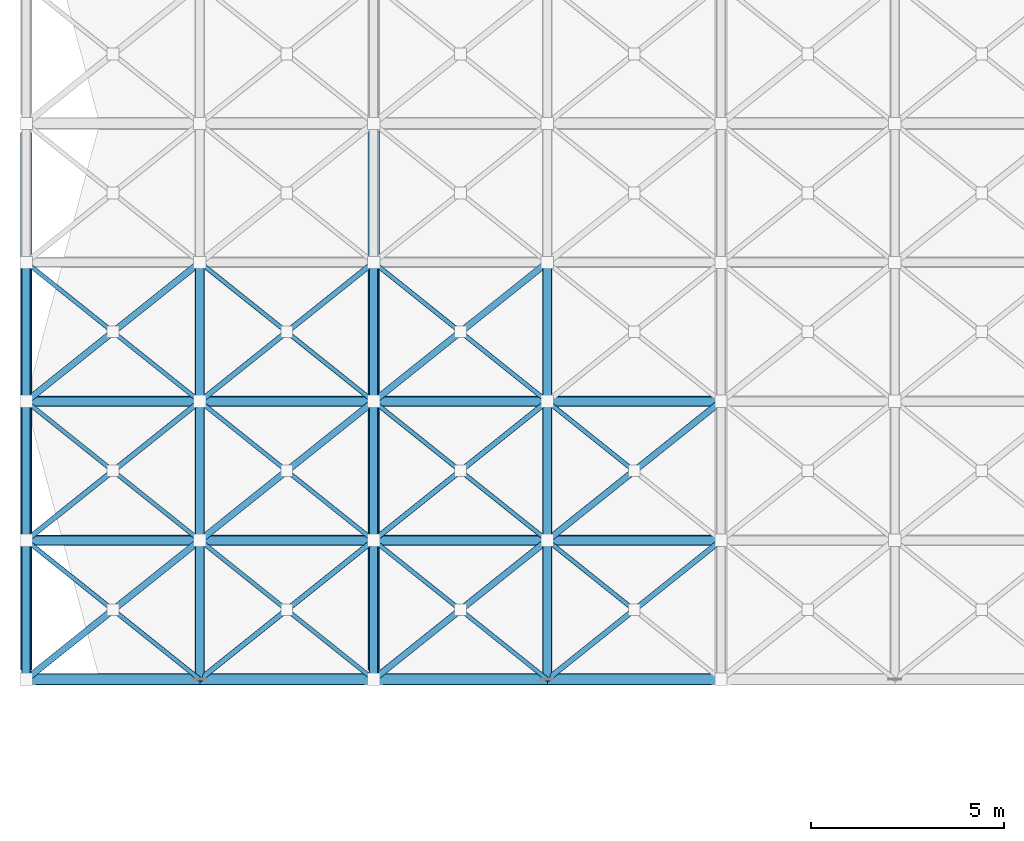
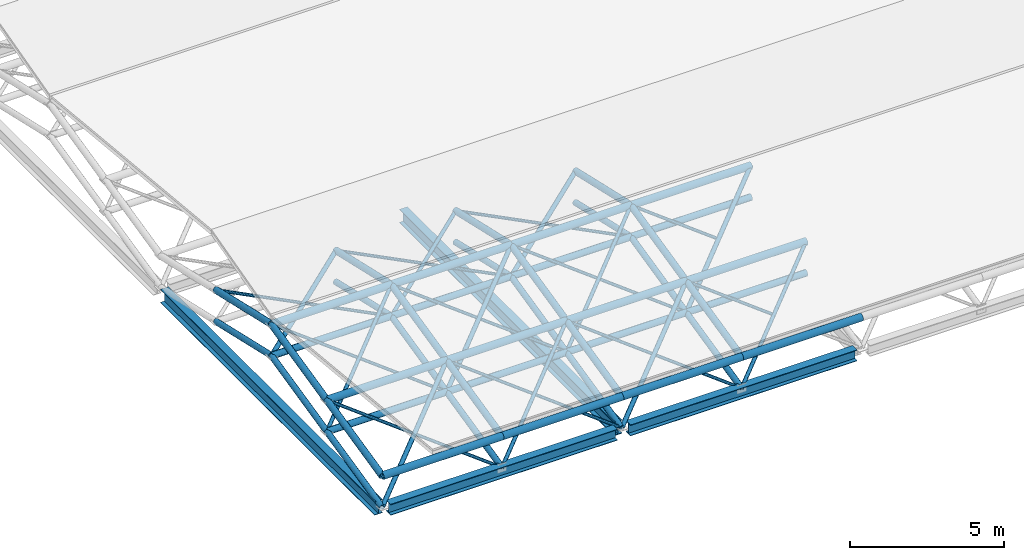
# One storey, part 10 of 110: 75 members, 4 beams.
"""IFC4 building model written with IfcOpenShell, lengths in metres."""

from ifc_helpers import new_model, si_unit, direction, frame, origin, origin_2d, place, context, subcontext, project, spatial, hollow_circle, i_section, extrude, material, material_profile, profile_set, type_object, element, save


model = new_model("IFC4")

# Units and contexts
model_context = context("Model", 3, precision=1e-05, world=origin(), true_north=direction((0.0, 1.0)))
body_context = subcontext(model_context, "Body", "Model", "MODEL_VIEW")
ifc_project = project(units=[si_unit("LENGTHUNIT", "METRE"), si_unit("AREAUNIT", "SQUARE_METRE"), si_unit("VOLUMEUNIT", "CUBIC_METRE"), si_unit("PLANEANGLEUNIT", "RADIAN"), si_unit("MASSUNIT", "GRAM", prefix="KILO")], contexts=[model_context])

# Site, building, storey
site_placement = place(None, origin())
site = spatial("IfcSite", under=ifc_project, at=site_placement, CompositionType="ELEMENT")
building_placement = place(site_placement, origin())
building = spatial("IfcBuilding", under=site, at=building_placement, Name="Tamarisk Ironworks Central Station", CompositionType="ELEMENT")
storey_placement = place(building_placement, frame((0.0, 0.0, 17.39990234375)))
storey = spatial("IfcBuildingStorey", under=building, at=storey_placement, Name="L03", CompositionType="ELEMENT", Elevation=17.39990234375)

# Beams
ifc_material_1 = material(Name="Structural steel S355J2", Category="steel")
ifc_material_profile_1 = material_profile(ifc_material_1, i_section(OverallWidth=0.300048828125, OverallDepth=0.5400390625, WebThickness=0.012451171875, FlangeThickness=0.02392578125, at=origin_2d()), Name="HEA 550")
ifc_profile_set_1 = profile_set([ifc_material_profile_1], Name="Structural steel S355J2")
beam_type_1 = type_object("IfcBeamType", Name="BM-G04", PredefinedType="BEAM", material=ifc_profile_set_1)
beam_1_placement = place(storey_placement, frame((0.0, 21.837890625, -1.869873046875), z_axis=(0.0, 1.0, 0.0), x_axis=(-1.0, 0.0, 0.0)))
element("IfcBeam", 1, at=beam_1_placement, inside=storey, type_object=beam_type_1, Name="L03 primary girder Y-0582", PredefinedType="BEAM", context=body_context, shape_type="SweptSolid", body=[
    extrude(i_section(OverallWidth=0.300048828125, OverallDepth=0.5400390625, WebThickness=0.012451171875, FlangeThickness=0.02392578125, at=origin_2d()), origin(), (0.0, 0.0, 1.0), 13.924072265625),
])
beam_2_placement = place(storey_placement, frame((9.0, 21.842041015625, -1.869873046875), z_axis=(0.0, 1.0, 0.0), x_axis=(-1.0, 0.0, 0.0)))
element("IfcBeam", 2, at=beam_2_placement, inside=storey, type_object=beam_type_1, Name="L03 primary girder Y-0586", PredefinedType="BEAM", context=body_context, shape_type="SweptSolid", body=[
    extrude(i_section(OverallWidth=0.300048828125, OverallDepth=0.5400390625, WebThickness=0.012451171875, FlangeThickness=0.02392578125, at=origin_2d()), origin(), (0.0, 0.0, 1.0), 13.966796875),
])
ifc_material_profile_2 = material_profile(ifc_material_1, i_section(OverallWidth=0.300048828125, OverallDepth=0.43994140625, WebThickness=0.011474609375, FlangeThickness=0.02099609375, at=origin_2d()), Name="HEA 450")
ifc_profile_set_2 = profile_set([ifc_material_profile_2], Name="Structural steel S355J2")
beam_type_2 = type_object("IfcBeamType", Name="BM-G06", PredefinedType="BEAM", material=ifc_profile_set_2)
beam_3_placement = place(storey_placement, frame((0.238037109375, 21.60009765625, -1.81982421875), z_axis=(1.0, 0.0, 0.0), x_axis=(0.0, 1.0, 0.0)))
element("IfcBeam", 3, at=beam_3_placement, inside=storey, type_object=beam_type_2, Name="L03 primary girder X-0540", PredefinedType="BEAM", context=body_context, shape_type="SweptSolid", body=[
    extrude(i_section(OverallWidth=0.300048828125, OverallDepth=0.43994140625, WebThickness=0.011474609375, FlangeThickness=0.02099609375, at=origin_2d()), origin(), (0.0, 0.0, 1.0), 8.52001953125),
])
beam_4_placement = place(storey_placement, frame((9.241943359375, 21.60009765625, -1.81982421875), z_axis=(1.0, 0.0, 0.0), x_axis=(0.0, 1.0, 0.0)))
element("IfcBeam", 4, at=beam_4_placement, inside=storey, type_object=beam_type_2, Name="L03 primary girder X-0541", PredefinedType="BEAM", context=body_context, shape_type="SweptSolid", body=[
    extrude(i_section(OverallWidth=0.300048828125, OverallDepth=0.43994140625, WebThickness=0.011474609375, FlangeThickness=0.02099609375, at=origin_2d()), origin(), (0.0, 0.0, 1.0), 8.51611328125),
])

# Members
ifc_material_2 = material(Name="Structural steel S355J2H", Category="steel")
ifc_material_profile_3 = material_profile(ifc_material_2, hollow_circle(Radius=0.136474609375, WallThickness=0.012451171875, at=origin_2d()), Name="CHS 273x12.5")
ifc_profile_set_3 = profile_set([ifc_material_profile_3], Name="Structural steel S355J2H")
member_type_1 = type_object("IfcMemberType", Name="MB-SFC01", PredefinedType="CHORD", material=ifc_profile_set_3)
for number, where, z_axis, x_axis, name in (
    (5, (0.0, 21.60009765625, -0.469970703125), (1.0, 0.0, 0.0), (0.0, 1.0, 0.0), "Train shed space-frame top chord 0075"),
    (6, (4.5, 21.60009765625, -0.469970703125), (1.0, 0.0, 0.0), (0.0, 1.0, 0.0), "Train shed space-frame top chord 0076"),
    (7, (9.0, 21.60009765625, -0.469970703125), (1.0, 0.0, 0.0), (0.0, 1.0, 0.0), "Train shed space-frame top chord 0077"),
    (8, (13.5, 21.60009765625, -0.469970703125), (1.0, 0.0, 0.0), (0.0, 1.0, 0.0), "Train shed space-frame top chord 0078"),
    (9, (0.0, 25.199951171875, 0.35498046875), (1.0, 0.0, 0.0), (0.0, 1.0, 0.0), "Train shed space-frame top chord 0085"),
    (10, (4.5, 25.199951171875, 0.35498046875), (1.0, 0.0, 0.0), (0.0, 1.0, 0.0), "Train shed space-frame top chord 0086"),
    (11, (9.0, 25.199951171875, 0.35498046875), (1.0, 0.0, 0.0), (0.0, 1.0, 0.0), "Train shed space-frame top chord 0087"),
    (12, (13.5, 25.199951171875, 0.35498046875), (1.0, 0.0, 0.0), (0.0, 1.0, 0.0), "Train shed space-frame top chord 0088"),
    (13, (0.0, 28.800048828125, 1.18017578125), (1.0, 0.0, 0.0), (0.0, 1.0, 0.0), "Train shed space-frame top chord 0095"),
    (14, (4.5, 28.800048828125, 1.18017578125), (1.0, 0.0, 0.0), (0.0, 1.0, 0.0), "Train shed space-frame top chord 0096"),
    (15, (9.0, 28.800048828125, 1.18017578125), (1.0, 0.0, 0.0), (0.0, 1.0, 0.0), "Train shed space-frame top chord 0097"),
    (16, (13.5, 28.800048828125, 1.18017578125), (1.0, 0.0, 0.0), (0.0, 1.0, 0.0), "Train shed space-frame top chord 0098"),
):
    element("IfcMember", number, at=place(storey_placement, frame(where, z_axis=z_axis, x_axis=x_axis)), inside=storey, type_object=member_type_1, Name=name, PredefinedType="CHORD", context=body_context, shape_type="SweptSolid", body=[
        extrude(hollow_circle(Radius=0.136474609375, WallThickness=0.012451171875, at=origin_2d()), origin(), (0.0, 0.0, 1.0), 4.5),
    ])
ifc_material_profile_4 = material_profile(ifc_material_2, hollow_circle(Radius=0.122314453125, WallThickness=0.012451171875, at=origin_2d()), Name="CHS 244.5x12.5")
ifc_profile_set_4 = profile_set([ifc_material_profile_4], Name="Structural steel S355J2H")
member_type_2 = type_object("IfcMemberType", Name="MB-SFC02", PredefinedType="CHORD", material=ifc_profile_set_4)
for number, where, z_axis, x_axis, name in (
    (17, (0.0, 25.199951171875, -0.89501953125), (1.0, 0.0, 0.0), (0.0, 1.0, 0.0), "Train shed space-frame bottom chord 0001"),
    (18, (4.5, 25.199951171875, -0.89501953125), (1.0, 0.0, 0.0), (0.0, 1.0, 0.0), "Train shed space-frame bottom chord 0002"),
    (19, (9.0, 25.199951171875, -0.89501953125), (1.0, 0.0, 0.0), (0.0, 1.0, 0.0), "Train shed space-frame bottom chord 0003"),
    (20, (13.5, 25.199951171875, -0.89501953125), (1.0, 0.0, 0.0), (0.0, 1.0, 0.0), "Train shed space-frame bottom chord 0004"),
    (21, (0.0, 28.800048828125, -0.06982421875), (1.0, 0.0, 0.0), (0.0, 1.0, 0.0), "Train shed space-frame bottom chord 0011"),
    (22, (4.5, 28.800048828125, -0.06982421875), (1.0, 0.0, 0.0), (0.0, 1.0, 0.0), "Train shed space-frame bottom chord 0012"),
    (23, (9.0, 28.800048828125, -0.06982421875), (1.0, 0.0, 0.0), (0.0, 1.0, 0.0), "Train shed space-frame bottom chord 0013"),
    (24, (13.5, 28.800048828125, -0.06982421875), (1.0, 0.0, 0.0), (0.0, 1.0, 0.0), "Train shed space-frame bottom chord 0014"),
):
    element("IfcMember", number, at=place(storey_placement, frame(where, z_axis=z_axis, x_axis=x_axis)), inside=storey, type_object=member_type_2, Name=name, PredefinedType="CHORD", context=body_context, shape_type="SweptSolid", body=[
        extrude(hollow_circle(Radius=0.122314453125, WallThickness=0.012451171875, at=origin_2d()), origin(), (0.0, 0.0, 1.0), 4.5),
    ])
member_1_placement = place(storey_placement, frame((0.0, 21.60009765625, -0.469970703125), z_axis=(0.0, 0.974733218107, 0.223372230857), x_axis=(-1.0, 0.0, 0.0)))
element("IfcMember", 25, at=member_1_placement, inside=storey, type_object=member_type_2, Name="Train shed space-frame top transverse chord 0125", PredefinedType="CHORD", context=body_context, shape_type="SweptSolid", body=[
    extrude(hollow_circle(Radius=0.122314453125, WallThickness=0.012451171875, at=origin_2d()), origin(), (0.0, 0.0, 1.0), 3.693115234375),
])
member_2_placement = place(storey_placement, frame((0.0, 25.199951171875, 0.35498046875), z_axis=(0.0, 0.974722123001, 0.223420641241), x_axis=(-1.0, 0.0, 0.0)))
element("IfcMember", 26, at=member_2_placement, inside=storey, type_object=member_type_2, Name="Train shed space-frame top transverse chord 0126", PredefinedType="CHORD", context=body_context, shape_type="SweptSolid", body=[
    extrude(hollow_circle(Radius=0.122314453125, WallThickness=0.012451171875, at=origin_2d()), origin(), (0.0, 0.0, 1.0), 3.693359375),
])
for number, where, z_axis, x_axis, name in (
    (27, (0.0, 28.800048828125, 1.18017578125), (0.0, 0.974718823144, -0.223435037113), (-1.0, 0.0, 0.0), "Train shed space-frame top transverse chord 0127"),
    (28, (4.5, 21.60009765625, -0.469970703125), (0.0, 0.974733218107, 0.223372230857), (-1.0, 0.0, 0.0), "Train shed space-frame top transverse chord 0129"),
):
    element("IfcMember", number, at=place(storey_placement, frame(where, z_axis=z_axis, x_axis=x_axis)), inside=storey, type_object=member_type_2, Name=name, PredefinedType="CHORD", context=body_context, shape_type="SweptSolid", body=[
        extrude(hollow_circle(Radius=0.122314453125, WallThickness=0.012451171875, at=origin_2d()), origin(), (0.0, 0.0, 1.0), 3.693115234375),
    ])
member_3_placement = place(storey_placement, frame((4.5, 25.199951171875, 0.35498046875), z_axis=(0.0, 0.974722123001, 0.223420641241), x_axis=(-1.0, 0.0, 0.0)))
element("IfcMember", 29, at=member_3_placement, inside=storey, type_object=member_type_2, Name="Train shed space-frame top transverse chord 0130", PredefinedType="CHORD", context=body_context, shape_type="SweptSolid", body=[
    extrude(hollow_circle(Radius=0.122314453125, WallThickness=0.012451171875, at=origin_2d()), origin(), (0.0, 0.0, 1.0), 3.693359375),
])
for number, where, z_axis, x_axis, name in (
    (30, (4.5, 28.800048828125, 1.18017578125), (0.0, 0.974718823144, -0.223435037113), (-1.0, 0.0, 0.0), "Train shed space-frame top transverse chord 0131"),
    (31, (9.0, 21.60009765625, -0.469970703125), (0.0, 0.974733218107, 0.223372230857), (-1.0, 0.0, 0.0), "Train shed space-frame top transverse chord 0133"),
):
    element("IfcMember", number, at=place(storey_placement, frame(where, z_axis=z_axis, x_axis=x_axis)), inside=storey, type_object=member_type_2, Name=name, PredefinedType="CHORD", context=body_context, shape_type="SweptSolid", body=[
        extrude(hollow_circle(Radius=0.122314453125, WallThickness=0.012451171875, at=origin_2d()), origin(), (0.0, 0.0, 1.0), 3.693115234375),
    ])
member_4_placement = place(storey_placement, frame((9.0, 25.199951171875, 0.35498046875), z_axis=(0.0, 0.974722123001, 0.223420641241), x_axis=(-1.0, 0.0, 0.0)))
element("IfcMember", 32, at=member_4_placement, inside=storey, type_object=member_type_2, Name="Train shed space-frame top transverse chord 0134", PredefinedType="CHORD", context=body_context, shape_type="SweptSolid", body=[
    extrude(hollow_circle(Radius=0.122314453125, WallThickness=0.012451171875, at=origin_2d()), origin(), (0.0, 0.0, 1.0), 3.693359375),
])
for number, where, z_axis, x_axis, name in (
    (33, (9.0, 28.800048828125, 1.18017578125), (0.0, 0.974718823144, -0.223435037113), (-1.0, 0.0, 0.0), "Train shed space-frame top transverse chord 0135"),
    (34, (13.5, 21.60009765625, -0.469970703125), (0.0, 0.974733218107, 0.223372230857), (-1.0, 0.0, 0.0), "Train shed space-frame top transverse chord 0137"),
):
    element("IfcMember", number, at=place(storey_placement, frame(where, z_axis=z_axis, x_axis=x_axis)), inside=storey, type_object=member_type_2, Name=name, PredefinedType="CHORD", context=body_context, shape_type="SweptSolid", body=[
        extrude(hollow_circle(Radius=0.122314453125, WallThickness=0.012451171875, at=origin_2d()), origin(), (0.0, 0.0, 1.0), 3.693115234375),
    ])
member_5_placement = place(storey_placement, frame((13.5, 25.199951171875, 0.35498046875), z_axis=(0.0, 0.974722123001, 0.223420641241), x_axis=(-1.0, 0.0, 0.0)))
element("IfcMember", 35, at=member_5_placement, inside=storey, type_object=member_type_2, Name="Train shed space-frame top transverse chord 0138", PredefinedType="CHORD", context=body_context, shape_type="SweptSolid", body=[
    extrude(hollow_circle(Radius=0.122314453125, WallThickness=0.012451171875, at=origin_2d()), origin(), (0.0, 0.0, 1.0), 3.693359375),
])
member_6_placement = place(storey_placement, frame((13.5, 28.800048828125, 1.18017578125), z_axis=(0.0, 0.974718823144, -0.223435037113), x_axis=(-1.0, 0.0, 0.0)))
element("IfcMember", 36, at=member_6_placement, inside=storey, type_object=member_type_2, Name="Train shed space-frame top transverse chord 0139", PredefinedType="CHORD", context=body_context, shape_type="SweptSolid", body=[
    extrude(hollow_circle(Radius=0.122314453125, WallThickness=0.012451171875, at=origin_2d()), origin(), (0.0, 0.0, 1.0), 3.693115234375),
])
ifc_material_profile_5 = material_profile(ifc_material_2, hollow_circle(Radius=0.109619140625, WallThickness=0.010009765625, at=origin_2d()), Name="CHS 219.1x10")
ifc_profile_set_5 = profile_set([ifc_material_profile_5], Name="Structural steel S355J2H")
member_type_3 = type_object("IfcMemberType", Name="MB-SFC03", PredefinedType="CHORD", material=ifc_profile_set_5)
member_7_placement = place(storey_placement, frame((0.0, 21.60009765625, -1.719970703125), z_axis=(0.0, 0.974733218107, 0.223372230857), x_axis=(-1.0, 0.0, 0.0)))
element("IfcMember", 37, at=member_7_placement, inside=storey, type_object=member_type_3, Name="Train shed space-frame transverse chord 0031", PredefinedType="CHORD", context=body_context, shape_type="SweptSolid", body=[
    extrude(hollow_circle(Radius=0.109619140625, WallThickness=0.010009765625, at=origin_2d()), origin(), (0.0, 0.0, 1.0), 3.693115234375),
])
member_8_placement = place(storey_placement, frame((0.0, 25.199951171875, -0.89501953125), z_axis=(0.0, 0.974722123001, 0.223420641241), x_axis=(-1.0, 0.0, 0.0)))
element("IfcMember", 38, at=member_8_placement, inside=storey, type_object=member_type_3, Name="Train shed space-frame transverse chord 0032", PredefinedType="CHORD", context=body_context, shape_type="SweptSolid", body=[
    extrude(hollow_circle(Radius=0.109619140625, WallThickness=0.010009765625, at=origin_2d()), origin(), (0.0, 0.0, 1.0), 3.693359375),
])
for number, where, z_axis, x_axis, name in (
    (39, (0.0, 28.800048828125, -0.06982421875), (0.0, 0.974718823144, -0.223435037113), (-1.0, 0.0, 0.0), "Train shed space-frame transverse chord 0033"),
    (40, (4.5, 21.60009765625, -1.719970703125), (0.0, 0.974733218107, 0.223372230857), (-1.0, 0.0, 0.0), "Train shed space-frame transverse chord 0035"),
):
    element("IfcMember", number, at=place(storey_placement, frame(where, z_axis=z_axis, x_axis=x_axis)), inside=storey, type_object=member_type_3, Name=name, PredefinedType="CHORD", context=body_context, shape_type="SweptSolid", body=[
        extrude(hollow_circle(Radius=0.109619140625, WallThickness=0.010009765625, at=origin_2d()), origin(), (0.0, 0.0, 1.0), 3.693115234375),
    ])
member_9_placement = place(storey_placement, frame((4.5, 25.199951171875, -0.89501953125), z_axis=(0.0, 0.974722123001, 0.223420641241), x_axis=(-1.0, 0.0, 0.0)))
element("IfcMember", 41, at=member_9_placement, inside=storey, type_object=member_type_3, Name="Train shed space-frame transverse chord 0036", PredefinedType="CHORD", context=body_context, shape_type="SweptSolid", body=[
    extrude(hollow_circle(Radius=0.109619140625, WallThickness=0.010009765625, at=origin_2d()), origin(), (0.0, 0.0, 1.0), 3.693359375),
])
for number, where, z_axis, x_axis, name in (
    (42, (4.5, 28.800048828125, -0.06982421875), (0.0, 0.974718823144, -0.223435037113), (-1.0, 0.0, 0.0), "Train shed space-frame transverse chord 0037"),
    (43, (9.0, 21.60009765625, -1.719970703125), (0.0, 0.974733218107, 0.223372230857), (-1.0, 0.0, 0.0), "Train shed space-frame transverse chord 0039"),
):
    element("IfcMember", number, at=place(storey_placement, frame(where, z_axis=z_axis, x_axis=x_axis)), inside=storey, type_object=member_type_3, Name=name, PredefinedType="CHORD", context=body_context, shape_type="SweptSolid", body=[
        extrude(hollow_circle(Radius=0.109619140625, WallThickness=0.010009765625, at=origin_2d()), origin(), (0.0, 0.0, 1.0), 3.693115234375),
    ])
member_10_placement = place(storey_placement, frame((9.0, 25.199951171875, -0.89501953125), z_axis=(0.0, 0.974722123001, 0.223420641241), x_axis=(-1.0, 0.0, 0.0)))
element("IfcMember", 44, at=member_10_placement, inside=storey, type_object=member_type_3, Name="Train shed space-frame transverse chord 0040", PredefinedType="CHORD", context=body_context, shape_type="SweptSolid", body=[
    extrude(hollow_circle(Radius=0.109619140625, WallThickness=0.010009765625, at=origin_2d()), origin(), (0.0, 0.0, 1.0), 3.693359375),
])
for number, where, z_axis, x_axis, name in (
    (45, (9.0, 28.800048828125, -0.06982421875), (0.0, 0.974718823144, -0.223435037113), (-1.0, 0.0, 0.0), "Train shed space-frame transverse chord 0041"),
    (46, (13.5, 21.60009765625, -1.719970703125), (0.0, 0.974733218107, 0.223372230857), (-1.0, 0.0, 0.0), "Train shed space-frame transverse chord 0043"),
):
    element("IfcMember", number, at=place(storey_placement, frame(where, z_axis=z_axis, x_axis=x_axis)), inside=storey, type_object=member_type_3, Name=name, PredefinedType="CHORD", context=body_context, shape_type="SweptSolid", body=[
        extrude(hollow_circle(Radius=0.109619140625, WallThickness=0.010009765625, at=origin_2d()), origin(), (0.0, 0.0, 1.0), 3.693115234375),
    ])
member_11_placement = place(storey_placement, frame((13.5, 25.199951171875, -0.89501953125), z_axis=(0.0, 0.974722123001, 0.223420641241), x_axis=(-1.0, 0.0, 0.0)))
element("IfcMember", 47, at=member_11_placement, inside=storey, type_object=member_type_3, Name="Train shed space-frame transverse chord 0044", PredefinedType="CHORD", context=body_context, shape_type="SweptSolid", body=[
    extrude(hollow_circle(Radius=0.109619140625, WallThickness=0.010009765625, at=origin_2d()), origin(), (0.0, 0.0, 1.0), 3.693359375),
])
member_12_placement = place(storey_placement, frame((13.5, 28.800048828125, -0.06982421875), z_axis=(0.0, 0.974718823144, -0.223435037113), x_axis=(-1.0, 0.0, 0.0)))
element("IfcMember", 48, at=member_12_placement, inside=storey, type_object=member_type_3, Name="Train shed space-frame transverse chord 0045", PredefinedType="CHORD", context=body_context, shape_type="SweptSolid", body=[
    extrude(hollow_circle(Radius=0.109619140625, WallThickness=0.010009765625, at=origin_2d()), origin(), (0.0, 0.0, 1.0), 3.693115234375),
])
ifc_material_profile_6 = material_profile(ifc_material_2, hollow_circle(Radius=0.084228515625, WallThickness=0.010009765625, at=origin_2d()), Name="CHS 168.3x10")
ifc_profile_set_6 = profile_set([ifc_material_profile_6], Name="Structural steel S355J2H")
member_type_4 = type_object("IfcMemberType", Name="MB-SFD01", PredefinedType="BRACE", material=ifc_profile_set_6)
member_13_placement = place(storey_placement, frame((0.0, 21.60009765625, -1.719970703125), z_axis=(0.734706189143, 0.587741035097, 0.338773215143), x_axis=(-0.624679547852, 0.780881208953, 0.0)))
element("IfcMember", 49, at=member_13_placement, inside=storey, type_object=member_type_4, Name="Train shed space-frame diagonal 0169", PredefinedType="BRACE", context=body_context, shape_type="SweptSolid", body=[
    extrude(hollow_circle(Radius=0.084228515625, WallThickness=0.010009765625, at=origin_2d()), origin(), (0.0, 0.0, 1.0), 6.125),
])
member_14_placement = place(storey_placement, frame((0.0, 28.800048828125, -0.06982421875), z_axis=(0.778768143722, 0.622989164452, 0.073516523984), x_axis=(-0.624679547852, 0.780881208953, 0.0)))
element("IfcMember", 50, at=member_14_placement, inside=storey, type_object=member_type_4, Name="Train shed space-frame diagonal 0173", PredefinedType="BRACE", context=body_context, shape_type="SweptSolid", body=[
    extrude(hollow_circle(Radius=0.084228515625, WallThickness=0.010009765625, at=origin_2d()), origin(), (0.0, 0.0, 1.0), 5.7783203125),
])
member_15_placement = place(storey_placement, frame((4.5, 25.199951171875, -0.89501953125), z_axis=(0.734679055902, 0.587759188278, 0.338800562889), x_axis=(-0.624705380279, 0.780860543151, 0.0)))
element("IfcMember", 51, at=member_15_placement, inside=storey, type_object=member_type_4, Name="Train shed space-frame diagonal 0179", PredefinedType="BRACE", context=body_context, shape_type="SweptSolid", body=[
    extrude(hollow_circle(Radius=0.084228515625, WallThickness=0.010009765625, at=origin_2d()), origin(), (0.0, 0.0, 1.0), 6.125244140625),
])
member_16_placement = place(storey_placement, frame((9.0, 21.60009765625, -1.719970703125), z_axis=(0.734706189143, 0.587741035097, 0.338773215143), x_axis=(-0.624679547852, 0.780881208953, 0.0)))
element("IfcMember", 52, at=member_16_placement, inside=storey, type_object=member_type_4, Name="Train shed space-frame diagonal 0185", PredefinedType="BRACE", context=body_context, shape_type="SweptSolid", body=[
    extrude(hollow_circle(Radius=0.084228515625, WallThickness=0.010009765625, at=origin_2d()), origin(), (0.0, 0.0, 1.0), 6.125),
])
member_17_placement = place(storey_placement, frame((9.0, 28.800048828125, -0.06982421875), z_axis=(0.778768143722, 0.622989164452, 0.073516523984), x_axis=(-0.624679547852, 0.780881208953, 0.0)))
element("IfcMember", 53, at=member_17_placement, inside=storey, type_object=member_type_4, Name="Train shed space-frame diagonal 0189", PredefinedType="BRACE", context=body_context, shape_type="SweptSolid", body=[
    extrude(hollow_circle(Radius=0.084228515625, WallThickness=0.010009765625, at=origin_2d()), origin(), (0.0, 0.0, 1.0), 5.7783203125),
])
member_18_placement = place(storey_placement, frame((13.5, 25.199951171875, -0.89501953125), z_axis=(0.734679055902, 0.587759188278, 0.338800562889), x_axis=(-0.624705380279, 0.780860543151, 0.0)))
element("IfcMember", 54, at=member_18_placement, inside=storey, type_object=member_type_4, Name="Train shed space-frame diagonal 0195", PredefinedType="BRACE", context=body_context, shape_type="SweptSolid", body=[
    extrude(hollow_circle(Radius=0.084228515625, WallThickness=0.010009765625, at=origin_2d()), origin(), (0.0, 0.0, 1.0), 6.125244140625),
])
ifc_material_profile_7 = material_profile(ifc_material_2, hollow_circle(Radius=0.06982421875, WallThickness=0.008056640625, at=origin_2d()), Name="CHS 139.7x8")
ifc_profile_set_7 = profile_set([ifc_material_profile_7], Name="Structural steel S355J2H")
member_type_5 = type_object("IfcMemberType", Name="MB-SFD02", PredefinedType="BRACE", material=ifc_profile_set_7)
member_19_placement = place(storey_placement, frame((0.0, 25.199951171875, -0.89501953125), z_axis=(0.734679055902, 0.587759188278, 0.338800562889), x_axis=(-0.624705380279, 0.780860543151, 0.0)))
element("IfcMember", 55, at=member_19_placement, inside=storey, type_object=member_type_5, Name="Train shed space-frame diagonal 0171", PredefinedType="BRACE", context=body_context, shape_type="SweptSolid", body=[
    extrude(hollow_circle(Radius=0.06982421875, WallThickness=0.008056640625, at=origin_2d()), origin(), (0.0, 0.0, 1.0), 6.125244140625),
])
member_20_placement = place(storey_placement, frame((4.5, 21.60009765625, -1.719970703125), z_axis=(0.734706189143, 0.587741035097, 0.338773215143), x_axis=(-0.624679547852, 0.780881208953, 0.0)))
element("IfcMember", 56, at=member_20_placement, inside=storey, type_object=member_type_5, Name="Train shed space-frame diagonal 0177", PredefinedType="BRACE", context=body_context, shape_type="SweptSolid", body=[
    extrude(hollow_circle(Radius=0.06982421875, WallThickness=0.008056640625, at=origin_2d()), origin(), (0.0, 0.0, 1.0), 6.125),
])
member_21_placement = place(storey_placement, frame((4.5, 28.800048828125, -0.06982421875), z_axis=(0.778768143722, 0.622989164452, 0.073516523984), x_axis=(-0.624679547852, 0.780881208953, 0.0)))
element("IfcMember", 57, at=member_21_placement, inside=storey, type_object=member_type_5, Name="Train shed space-frame diagonal 0181", PredefinedType="BRACE", context=body_context, shape_type="SweptSolid", body=[
    extrude(hollow_circle(Radius=0.06982421875, WallThickness=0.008056640625, at=origin_2d()), origin(), (0.0, 0.0, 1.0), 5.7783203125),
])
member_22_placement = place(storey_placement, frame((9.0, 25.199951171875, -0.89501953125), z_axis=(0.734679055902, 0.587759188278, 0.338800562889), x_axis=(-0.624705380279, 0.780860543151, 0.0)))
element("IfcMember", 58, at=member_22_placement, inside=storey, type_object=member_type_5, Name="Train shed space-frame diagonal 0187", PredefinedType="BRACE", context=body_context, shape_type="SweptSolid", body=[
    extrude(hollow_circle(Radius=0.06982421875, WallThickness=0.008056640625, at=origin_2d()), origin(), (0.0, 0.0, 1.0), 6.125244140625),
])
member_23_placement = place(storey_placement, frame((13.5, 21.60009765625, -1.719970703125), z_axis=(0.734706189143, 0.587741035097, 0.338773215143), x_axis=(-0.624679547852, 0.780881208953, 0.0)))
element("IfcMember", 59, at=member_23_placement, inside=storey, type_object=member_type_5, Name="Train shed space-frame diagonal 0193", PredefinedType="BRACE", context=body_context, shape_type="SweptSolid", body=[
    extrude(hollow_circle(Radius=0.06982421875, WallThickness=0.008056640625, at=origin_2d()), origin(), (0.0, 0.0, 1.0), 6.125),
])
ifc_material_profile_8 = material_profile(ifc_material_2, hollow_circle(Radius=0.05712890625, WallThickness=0.00634765625, at=origin_2d()), Name="CHS 114.3x6.3")
ifc_profile_set_8 = profile_set([ifc_material_profile_8], Name="Structural steel S355J2H")
member_type_6 = type_object("IfcMemberType", Name="MB-SFD03", PredefinedType="BRACE", material=ifc_profile_set_8)
for number, where, z_axis, x_axis, name in (
    (60, (4.5, 21.60009765625, -1.719970703125), (-0.734712152648, 0.587704782363, 0.33882317149), (-0.624652959802, -0.780902477785, 0.0), "Train shed space-frame split counter-diagonal lower 0170"),
    (61, (2.209716796875, 23.432373046875, -0.663818359375), (-0.734732358486, 0.587720945248, 0.338751312779), (-0.624652959802, -0.780902477785, 0.0), "Train shed space-frame split counter-diagonal upper 0170"),
):
    element("IfcMember", number, at=place(storey_placement, frame(where, z_axis=z_axis, x_axis=x_axis)), inside=storey, type_object=member_type_6, Name=name, PredefinedType="BRACE", context=body_context, shape_type="SweptSolid", body=[
        extrude(hollow_circle(Radius=0.05712890625, WallThickness=0.00634765625, at=origin_2d()), origin(), (0.0, 0.0, 1.0), 3.007568359375),
    ])
for number, where, z_axis, x_axis, name in (
    (62, (4.5, 25.199951171875, -0.89501953125), (-0.734677102003, 0.587757915766, 0.338807007376), (-0.624705568642, -0.780860392457, 0.0), "Train shed space-frame split counter-diagonal lower 0172"),
    (63, (2.209716796875, 27.0322265625, 0.1611328125), (-0.734677102003, 0.587757915766, 0.338807007376), (-0.624705568642, -0.780860392457, 0.0), "Train shed space-frame split counter-diagonal upper 0172"),
):
    element("IfcMember", number, at=place(storey_placement, frame(where, z_axis=z_axis, x_axis=x_axis)), inside=storey, type_object=member_type_6, Name=name, PredefinedType="BRACE", context=body_context, shape_type="SweptSolid", body=[
        extrude(hollow_circle(Radius=0.05712890625, WallThickness=0.00634765625, at=origin_2d()), origin(), (0.0, 0.0, 1.0), 3.0078125),
    ])
for number, where, z_axis, x_axis, name in (
    (64, (4.5, 28.800048828125, -0.06982421875), (-0.778786711003, 0.622960457248, 0.073563084968), (-0.624652913247, -0.780902515025, 0.0), "Train shed space-frame split counter-diagonal lower 0174"),
    (65, (2.207275390625, 30.63427734375, 0.146484375), (-0.778786711003, 0.622960457248, 0.073563084968), (-0.624652913247, -0.780902515025, 0.0), "Train shed space-frame split counter-diagonal upper 0174"),
):
    element("IfcMember", number, at=place(storey_placement, frame(where, z_axis=z_axis, x_axis=x_axis)), inside=storey, type_object=member_type_6, Name=name, PredefinedType="BRACE", context=body_context, shape_type="SweptSolid", body=[
        extrude(hollow_circle(Radius=0.05712890625, WallThickness=0.00634765625, at=origin_2d()), origin(), (0.0, 0.0, 1.0), 2.834228515625),
    ])
for number, where, z_axis, x_axis, name in (
    (66, (9.0, 21.60009765625, -1.719970703125), (-0.734712152648, 0.587704782363, 0.33882317149), (-0.624652959802, -0.780902477785, 0.0), "Train shed space-frame split counter-diagonal lower 0178"),
    (67, (6.709716796875, 23.432373046875, -0.663818359375), (-0.734732358486, 0.587720945248, 0.338751312779), (-0.624652959802, -0.780902477785, 0.0), "Train shed space-frame split counter-diagonal upper 0178"),
):
    element("IfcMember", number, at=place(storey_placement, frame(where, z_axis=z_axis, x_axis=x_axis)), inside=storey, type_object=member_type_6, Name=name, PredefinedType="BRACE", context=body_context, shape_type="SweptSolid", body=[
        extrude(hollow_circle(Radius=0.05712890625, WallThickness=0.00634765625, at=origin_2d()), origin(), (0.0, 0.0, 1.0), 3.007568359375),
    ])
for number, where, z_axis, x_axis, name in (
    (68, (9.0, 25.199951171875, -0.89501953125), (-0.734677102003, 0.587757915766, 0.338807007376), (-0.624705568642, -0.780860392457, 0.0), "Train shed space-frame split counter-diagonal lower 0180"),
    (69, (6.709716796875, 27.0322265625, 0.1611328125), (-0.734677102003, 0.587757915766, 0.338807007376), (-0.624705568642, -0.780860392457, 0.0), "Train shed space-frame split counter-diagonal upper 0180"),
):
    element("IfcMember", number, at=place(storey_placement, frame(where, z_axis=z_axis, x_axis=x_axis)), inside=storey, type_object=member_type_6, Name=name, PredefinedType="BRACE", context=body_context, shape_type="SweptSolid", body=[
        extrude(hollow_circle(Radius=0.05712890625, WallThickness=0.00634765625, at=origin_2d()), origin(), (0.0, 0.0, 1.0), 3.0078125),
    ])
for number, where, z_axis, x_axis, name in (
    (70, (9.0, 28.800048828125, -0.06982421875), (-0.778786711003, 0.622960457248, 0.073563084968), (-0.624652913247, -0.780902515025, 0.0), "Train shed space-frame split counter-diagonal lower 0182"),
    (71, (6.707275390625, 30.63427734375, 0.146484375), (-0.778786711003, 0.622960457248, 0.073563084968), (-0.624652913247, -0.780902515025, 0.0), "Train shed space-frame split counter-diagonal upper 0182"),
):
    element("IfcMember", number, at=place(storey_placement, frame(where, z_axis=z_axis, x_axis=x_axis)), inside=storey, type_object=member_type_6, Name=name, PredefinedType="BRACE", context=body_context, shape_type="SweptSolid", body=[
        extrude(hollow_circle(Radius=0.05712890625, WallThickness=0.00634765625, at=origin_2d()), origin(), (0.0, 0.0, 1.0), 2.834228515625),
    ])
for number, where, z_axis, x_axis, name in (
    (72, (13.5, 21.60009765625, -1.719970703125), (-0.734712152648, 0.587704782363, 0.33882317149), (-0.624652959802, -0.780902477785, 0.0), "Train shed space-frame split counter-diagonal lower 0186"),
    (73, (11.209716796875, 23.432373046875, -0.663818359375), (-0.734732358486, 0.587720945248, 0.338751312779), (-0.624652959802, -0.780902477785, 0.0), "Train shed space-frame split counter-diagonal upper 0186"),
):
    element("IfcMember", number, at=place(storey_placement, frame(where, z_axis=z_axis, x_axis=x_axis)), inside=storey, type_object=member_type_6, Name=name, PredefinedType="BRACE", context=body_context, shape_type="SweptSolid", body=[
        extrude(hollow_circle(Radius=0.05712890625, WallThickness=0.00634765625, at=origin_2d()), origin(), (0.0, 0.0, 1.0), 3.007568359375),
    ])
for number, where, z_axis, x_axis, name in (
    (74, (13.5, 25.199951171875, -0.89501953125), (-0.734677102003, 0.587757915766, 0.338807007376), (-0.624705568642, -0.780860392457, 0.0), "Train shed space-frame split counter-diagonal lower 0188"),
    (75, (11.209716796875, 27.0322265625, 0.1611328125), (-0.734677102003, 0.587757915766, 0.338807007376), (-0.624705568642, -0.780860392457, 0.0), "Train shed space-frame split counter-diagonal upper 0188"),
):
    element("IfcMember", number, at=place(storey_placement, frame(where, z_axis=z_axis, x_axis=x_axis)), inside=storey, type_object=member_type_6, Name=name, PredefinedType="BRACE", context=body_context, shape_type="SweptSolid", body=[
        extrude(hollow_circle(Radius=0.05712890625, WallThickness=0.00634765625, at=origin_2d()), origin(), (0.0, 0.0, 1.0), 3.0078125),
    ])
for number, where, z_axis, x_axis, name in (
    (76, (13.5, 28.800048828125, -0.06982421875), (-0.778786711003, 0.622960457248, 0.073563084968), (-0.624652913247, -0.780902515025, 0.0), "Train shed space-frame split counter-diagonal lower 0190"),
    (77, (11.207275390625, 30.63427734375, 0.146484375), (-0.778786711003, 0.622960457248, 0.073563084968), (-0.624652913247, -0.780902515025, 0.0), "Train shed space-frame split counter-diagonal upper 0190"),
):
    element("IfcMember", number, at=place(storey_placement, frame(where, z_axis=z_axis, x_axis=x_axis)), inside=storey, type_object=member_type_6, Name=name, PredefinedType="BRACE", context=body_context, shape_type="SweptSolid", body=[
        extrude(hollow_circle(Radius=0.05712890625, WallThickness=0.00634765625, at=origin_2d()), origin(), (0.0, 0.0, 1.0), 2.834228515625),
    ])
member_24_placement = place(storey_placement, frame((15.709716796875, 23.432373046875, -0.663818359375), z_axis=(-0.734732358486, 0.587720945248, 0.338751312779), x_axis=(-0.624652959802, -0.780902477785, 0.0)))
element("IfcMember", 78, at=member_24_placement, inside=storey, type_object=member_type_6, Name="Train shed space-frame split counter-diagonal upper 0194", PredefinedType="BRACE", context=body_context, shape_type="SweptSolid", body=[
    extrude(hollow_circle(Radius=0.05712890625, WallThickness=0.00634765625, at=origin_2d()), origin(), (0.0, 0.0, 1.0), 3.007568359375),
])
member_25_placement = place(storey_placement, frame((15.709716796875, 27.0322265625, 0.1611328125), z_axis=(-0.734677102003, 0.587757915766, 0.338807007376), x_axis=(-0.624705568642, -0.780860392457, 0.0)))
element("IfcMember", 79, at=member_25_placement, inside=storey, type_object=member_type_6, Name="Train shed space-frame split counter-diagonal upper 0196", PredefinedType="BRACE", context=body_context, shape_type="SweptSolid", body=[
    extrude(hollow_circle(Radius=0.05712890625, WallThickness=0.00634765625, at=origin_2d()), origin(), (0.0, 0.0, 1.0), 3.0078125),
])

save(model, "model.ifc")
